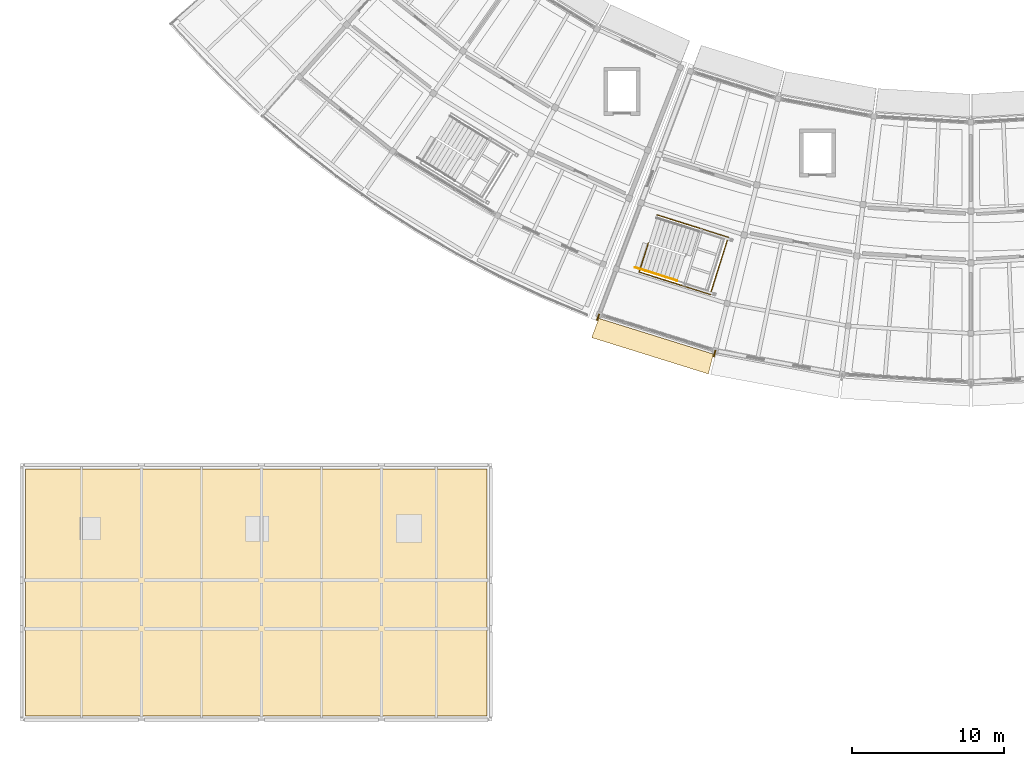
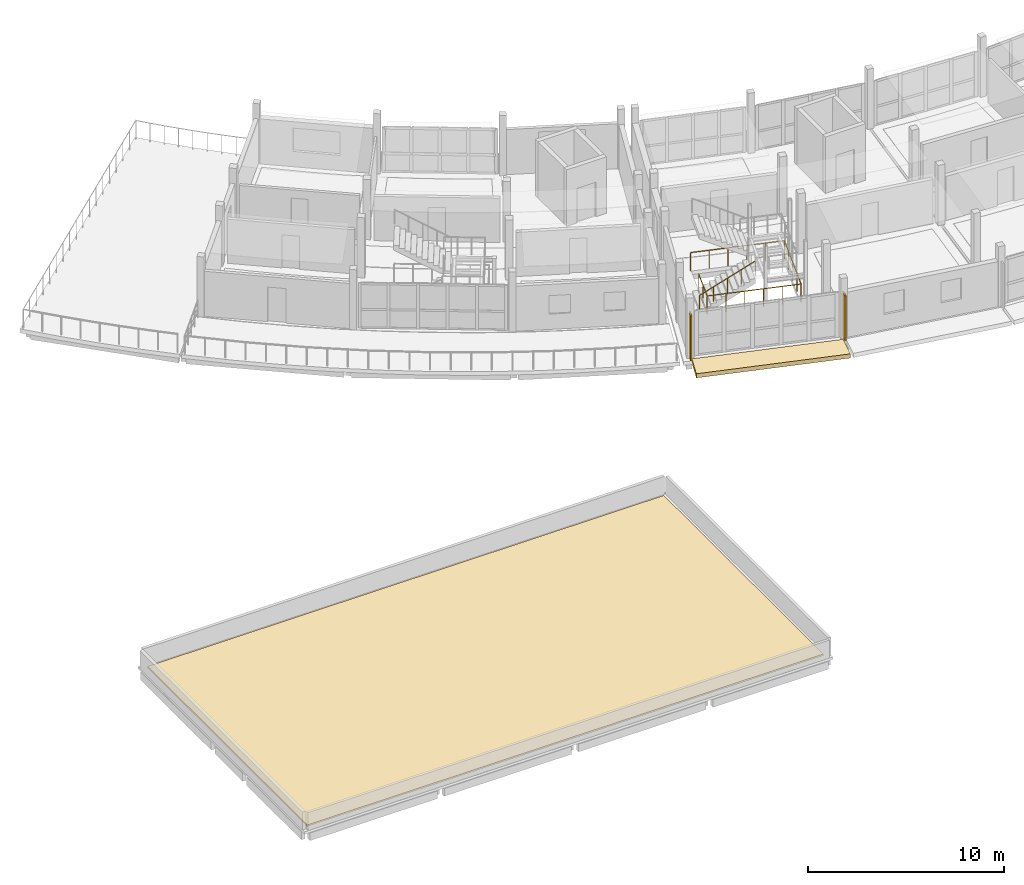
# One storey, part 30 of 36: 2 coverings, 2 railings, 2 shading devices.
"""IFC4 building model written with IfcOpenShell, lengths in metres."""

from ifc_helpers import new_model, si_unit, direction, frame, origin, origin_2d, place, context, subcontext, project, spatial, polyline, rectangle, circle, outline, extrude, material, layer, layer_set, type_object, element, save


model = new_model("IFC4")

# Units and contexts
model_context = context("Model", 3, precision=1e-05, world=origin(), true_north=direction((0.0, 1.0)))
body_context = subcontext(model_context, "Body", "Model", "MODEL_VIEW")
ifc_project = project(units=[si_unit("LENGTHUNIT", "METRE"), si_unit("AREAUNIT", "SQUARE_METRE"), si_unit("VOLUMEUNIT", "CUBIC_METRE"), si_unit("PLANEANGLEUNIT", "RADIAN"), si_unit("MASSUNIT", "GRAM", prefix="KILO")], contexts=[model_context])

# Site, building, storey
site_placement = place(None, origin())
site = spatial("IfcSite", under=ifc_project, at=site_placement, CompositionType="ELEMENT")
building_placement = place(site_placement, origin())
building = spatial("IfcBuilding", under=site, at=building_placement, Name="Caldaven Crescent School", CompositionType="ELEMENT")
storey_placement = place(building_placement, frame((0.0, 0.0, 11.89990234375)))
storey = spatial("IfcBuildingStorey", under=building, at=storey_placement, Name="L03", CompositionType="ELEMENT", Elevation=11.89990234375)

# Coverings
ifc_material_1 = material(Name="White architectural GFRC precast concrete C35/45 cladding", Category="concrete")
ifc_layer_1 = layer(ifc_material_1, 0.260009765625)
ifc_layer_set_1 = layer_set([ifc_layer_1], Name="White architectural GFRC precast concrete C35/45 cladding")
covering_type_1 = type_object("IfcCoveringType", Name="COV-CLD1", PredefinedType="CLADDING", material=ifc_layer_set_1)
covering_1_placement = place(storey_placement, frame((0.0, 0.0, -0.260009765625)))
element("IfcCovering", 1, at=covering_1_placement, inside=storey, type_object=covering_type_1, Name="CLD-OUT-L03-065", PredefinedType="CLADDING", context=body_context, shape_type="SweptSolid", body=[
    extrude(outline(polyline([(63.503662109375, 30.6396484375), (71.04296875, 28.291015625), (70.715087890625, 26.9814453125), (63.02978515625, 29.37548828125), (63.503662109375, 30.6396484375)])), origin(), (0.0, 0.0, 1.0), 0.260009765625),
])
ifc_material_2 = material(Name="Waterproof EPDM membrane and planted roof build-up")
ifc_layer_2 = layer(ifc_material_2, 0.095947265625)
ifc_layer_set_2 = layer_set([ifc_layer_2], Name="Waterproof EPDM membrane and planted roof build-up")
covering_type_2 = type_object("IfcCoveringType", Name="COV-RFG3", PredefinedType="ROOFING", material=ifc_layer_set_2)
covering_2_placement = place(storey_placement, origin())
element("IfcCovering", 2, at=covering_2_placement, inside=storey, type_object=covering_type_2, Name="RFG-L03-03", PredefinedType="ROOFING", context=body_context, shape_type="SweptSolid", body=[
    extrude(outline(polyline([(25.77001953125, 4.469970703125), (25.77001953125, 20.72998046875), (56.1298828125, 20.72998046875), (56.1298828125, 4.469970703125), (25.77001953125, 4.469970703125)])), origin(), (0.0, 0.0, 1.0), 0.09619140625),
])

# Railings
ifc_material_3 = material(Name="Brushed stainless-steel continuous tubular handrail", Category="steel")
railing_type_1 = type_object("IfcRailingType", Name="RAL-HR3", PredefinedType="HANDRAIL", material=ifc_material_3)
railing_1_placement = place(storey_placement, frame((65.89111328125, 33.993408203125, 0.173095703125)))
element("IfcRailing", 3, at=railing_1_placement, inside=storey, type_object=railing_type_1, Name="HR-ST2-L03-F1", PredefinedType="HANDRAIL", context=body_context, shape_type="SweptSolid", body=[
    extrude(circle(Radius=0.02392578125, at=origin_2d()), frame((0.0, 0.0, 0.89599609375), z_axis=(0.822759414235, -0.259436496085, 0.50572685393), x_axis=(0.300728414298, 0.953709820036, 0.0)), (0.0, 0.0, 1.0), 3.361328125),
    extrude(circle(Radius=0.02099609375, at=origin_2d()), origin(), (0.0, 0.0, 1.0), 0.871826171875),
    extrude(circle(Radius=0.02099609375, at=origin_2d()), frame((0.69140625, -0.218017578125, 0.425048828125)), (0.0, 0.0, 1.0), 0.871826171875),
    extrude(circle(Radius=0.02099609375, at=origin_2d()), frame((1.3828125, -0.43603515625, 0.85009765625)), (0.0, 0.0, 1.0), 0.871826171875),
    extrude(circle(Radius=0.02099609375, at=origin_2d()), frame((2.07421875, -0.654052734375, 1.27490234375)), (0.0, 0.0, 1.0), 0.871826171875),
    extrude(circle(Radius=0.02099609375, at=origin_2d()), frame((2.765625, -0.8720703125, 1.699951171875)), (0.0, 0.0, 1.0), 0.871826171875),
])
ifc_material_4 = material(Name="Powder-coated tubular steel balustrade ASTM A572 Grade 50", Category="steel")
railing_type_2 = type_object("IfcRailingType", Name="RAL-INT3", PredefinedType="BALUSTRADE", material=ifc_material_4)
railing_2_placement = place(storey_placement, frame((66.759765625, 35.59130859375, 0.0)))
element("IfcRailing", 4, at=railing_2_placement, inside=storey, type_object=railing_type_2, Name="GD-WELL-ST2-L03", PredefinedType="BALUSTRADE", context=body_context, shape_type="SweptSolid", body=[
    extrude(circle(Radius=0.02392578125, at=origin_2d()), frame((0.0, 0.0, 1.1259765625), z_axis=(-0.30080256489, -0.953686435342, 0.0), x_axis=(0.953686435342, -0.30080256489, 0.0)), (0.0, 0.0, 1.0), 1.990234375),
    extrude(circle(Radius=0.02392578125, at=origin_2d()), frame((-0.5986328125, -1.89794921875, 1.1259765625), z_axis=(0.953716548074, -0.30070707662, 0.0), x_axis=(0.30070707662, 0.953716548074, 0.0)), (0.0, 0.0, 1.0), 4.902099609375),
    extrude(circle(Radius=0.02392578125, at=origin_2d()), frame((4.07666015625, -3.3720703125, 1.1259765625), z_axis=(0.300719120194, 0.953712750649, 0.0), x_axis=(-0.953712750649, 0.300719120194, 0.0)), (0.0, 0.0, 1.0), 3.93994140625),
    extrude(circle(Radius=0.02392578125, at=origin_2d()), frame((5.261474609375, 0.385498046875, 1.1259765625), z_axis=(-0.953716548074, 0.30070707662, 0.0), x_axis=(-0.30070707662, -0.953716548074, 0.0)), (0.0, 0.0, 1.0), 4.902099609375),
    extrude(circle(Radius=0.02099609375, at=origin_2d()), origin(), (0.0, 0.0, 1.0), 1.101806640625),
    extrude(circle(Radius=0.02099609375, at=origin_2d()), frame((-0.29931640625, -0.948974609375, 0.0)), (0.0, 0.0, 1.0), 1.101806640625),
    extrude(circle(Radius=0.02099609375, at=origin_2d()), frame((-0.5986328125, -1.89794921875, 0.0)), (0.0, 0.0, 1.0), 1.101806640625),
    extrude(circle(Radius=0.02099609375, at=origin_2d()), frame((0.33642578125, -2.19287109375, 0.0)), (0.0, 0.0, 1.0), 1.101806640625),
    extrude(circle(Radius=0.02099609375, at=origin_2d()), frame((1.271484375, -2.487548828125, 0.0)), (0.0, 0.0, 1.0), 1.101806640625),
    extrude(circle(Radius=0.02099609375, at=origin_2d()), frame((2.20654296875, -2.782470703125, 0.0)), (0.0, 0.0, 1.0), 1.101806640625),
    extrude(circle(Radius=0.02099609375, at=origin_2d()), frame((3.1416015625, -3.0771484375, 0.0)), (0.0, 0.0, 1.0), 1.101806640625),
    extrude(circle(Radius=0.02099609375, at=origin_2d()), frame((4.07666015625, -3.3720703125, 0.0)), (0.0, 0.0, 1.0), 1.101806640625),
    extrude(circle(Radius=0.02099609375, at=origin_2d()), frame((4.372802734375, -2.4326171875, 0.0)), (0.0, 0.0, 1.0), 1.101806640625),
    extrude(circle(Radius=0.02099609375, at=origin_2d()), frame((4.6689453125, -1.4931640625, 0.0)), (0.0, 0.0, 1.0), 1.101806640625),
    extrude(circle(Radius=0.02099609375, at=origin_2d()), frame((4.96533203125, -0.553955078125, 0.0)), (0.0, 0.0, 1.0), 1.101806640625),
    extrude(circle(Radius=0.02099609375, at=origin_2d()), frame((5.261474609375, 0.385498046875, 0.0)), (0.0, 0.0, 1.0), 1.101806640625),
    extrude(circle(Radius=0.02099609375, at=origin_2d()), frame((4.326416015625, 0.680419921875, 0.0)), (0.0, 0.0, 1.0), 1.101806640625),
    extrude(circle(Radius=0.02099609375, at=origin_2d()), frame((3.391357421875, 0.97509765625, 0.0)), (0.0, 0.0, 1.0), 1.101806640625),
    extrude(circle(Radius=0.02099609375, at=origin_2d()), frame((2.456298828125, 1.27001953125, 0.0)), (0.0, 0.0, 1.0), 1.101806640625),
    extrude(circle(Radius=0.02099609375, at=origin_2d()), frame((1.521240234375, 1.564697265625, 0.0)), (0.0, 0.0, 1.0), 1.101806640625),
    extrude(circle(Radius=0.02099609375, at=origin_2d()), frame((0.586181640625, 1.859619140625, 0.0)), (0.0, 0.0, 1.0), 1.101806640625),
])

# Shading devices
ifc_material_5 = material(Name="Bronze-anodised aluminium AA 6063-T6 sunshade", Category="aluminium")
ifc_layer_3 = layer(ifc_material_5, 0.080078125)
ifc_layer_set_3 = layer_set([ifc_layer_3], Name="Bronze-anodised aluminium AA 6063-T6 sunshade")
shading_device_type = type_object("IfcShadingDeviceType", Name="SHD-S04", PredefinedType="JALOUSIE", material=ifc_layer_set_3)
for number, where, z_axis, x_axis, name in (
    (5, (63.452880859375, 30.712158203125, 0.0), (0.0, 0.0, 1.0), (-0.352005016254, -0.93599811353, 0.0), "SHD-FIN-L03-047"),
    (6, (71.1259765625, 28.32177734375, 0.0), (0.0, 0.0, 1.0), (-0.2419218956, -0.970295726276, 0.0), "SHD-FIN-L03-049"),
):
    element("IfcShadingDevice", number, at=place(storey_placement, frame(where, z_axis=z_axis, x_axis=x_axis)), inside=storey, type_object=shading_device_type, Name=name, PredefinedType="JALOUSIE", context=body_context, shape_type="SweptSolid", body=[
        extrude(rectangle(XDim=0.449951171875, YDim=0.080078125, at=origin_2d()), origin(), (0.0, 0.0, 1.0), 2.800048828125),
    ])

save(model, "model.ifc")
